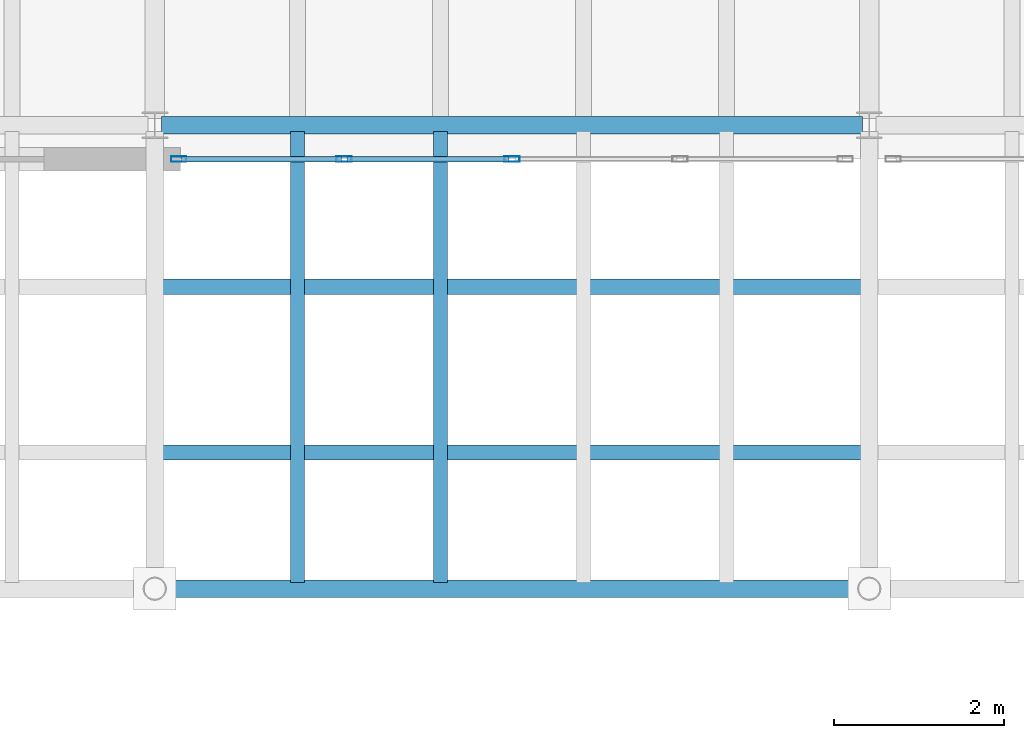
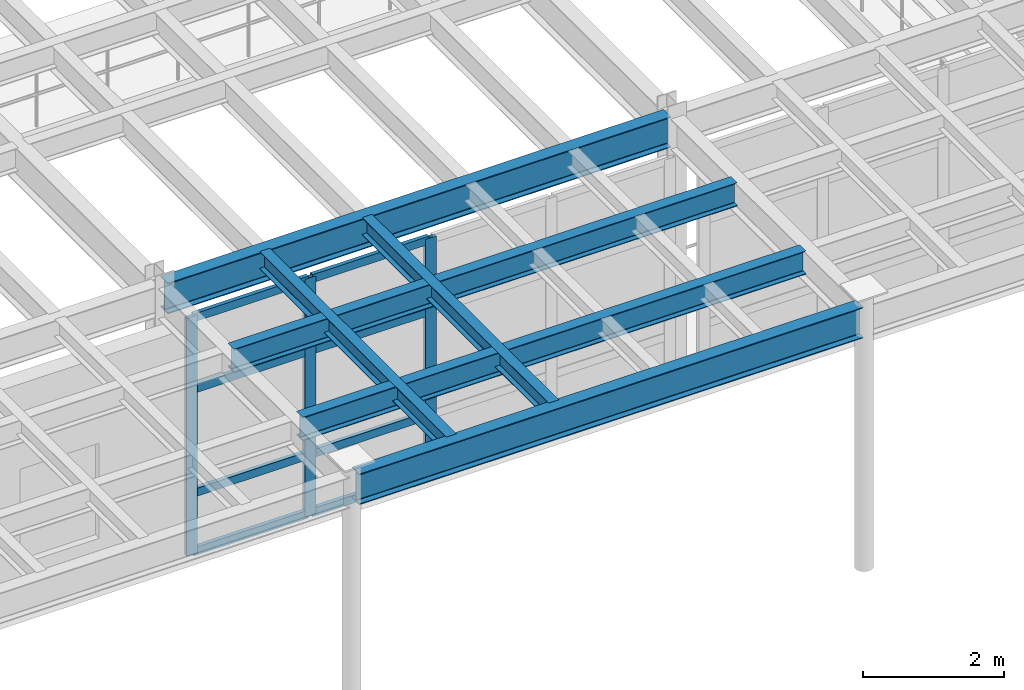
# One storey, part 27 of 105: 11 members, 6 beams, 1 element without a shape of its own.
"""IFC4 building model written with IfcOpenShell, lengths in metres."""

import ifcopenshell
import ifcopenshell.guid

model = None  # the IFC model being written
_history = None  # IfcOwnerHistory: only IFC2X3 demands one
_inside = {}  # id of a spatial element -> (the spatial element, [elements in it])
_under = {}  # id of a project, library or spatial element -> (it, [spatial elements below it])
_declared = {}  # id of a project -> (the project, [libraries it declares])
_typed = {}  # id of a type object -> (the type object, [elements of that type])
_made_of = {}  # id of a material, layer set ... -> (it, [elements and type objects made of it])


def new_model(schema):
    """Start an empty IFC model of exactly this schema.

    Asked for "IFC4X3", IfcOpenShell would pick the latest addendum, in which some entities
    have other attributes; the version numbers below select the first issue.
    IFC2X3 requires an IfcOwnerHistory on every rooted entity: one is made here for all.
    """
    global model, _history
    if schema == "IFC4X3":
        model = ifcopenshell.file(schema_version=(4, 3, 0, 0))
    else:
        model = ifcopenshell.file(schema=schema)
    _inside.clear()
    _under.clear()
    _declared.clear()
    _typed.clear()
    _made_of.clear()
    _history = None
    if model.schema == "IFC2X3":
        org = make("IfcOrganization", Name="unknown")
        user = make(
            "IfcPersonAndOrganization",
            ThePerson=make("IfcPerson", FamilyName="unknown"),
            TheOrganization=org,
        )
        app = make(
            "IfcApplication",
            ApplicationDeveloper=org,
            Version="unknown",
            ApplicationFullName="unknown",
            ApplicationIdentifier="unknown",
        )
        _history = make(
            "IfcOwnerHistory",
            OwningUser=user,
            OwningApplication=app,
            ChangeAction="ADDED",
            CreationDate=0,
        )
    return model


def make(cls, **values):
    """One entity of the class cls with the attributes given. An attribute that is None is left unset."""
    return model.create_entity(
        cls, **{name: value for name, value in values.items() if value is not None}
    )


def rooted(cls, **values):
    """An entity with a GlobalId (a new one), such as an element, a storey or a relation."""
    return make(cls, GlobalId=ifcopenshell.guid.new(), OwnerHistory=_history, **values)


def si_unit(unit_type, name, prefix=None):
    """IfcSIUnit, for example si_unit("LENGTHUNIT", "METRE", prefix="MILLI")."""
    return make("IfcSIUnit", UnitType=unit_type, Prefix=prefix, Name=name)


def assignment(units):
    """IfcUnitAssignment: the units of a project."""
    return None if units is None else make("IfcUnitAssignment", Units=units)


def point(xyz):
    """IfcCartesianPoint."""
    return None if xyz is None else make("IfcCartesianPoint", Coordinates=xyz)


def direction(xyz):
    """IfcDirection."""
    return None if xyz is None else make("IfcDirection", DirectionRatios=xyz)


def frame(location, z_axis=None, x_axis=None):
    """IfcAxis2Placement3D, a coordinate frame: its origin and axes. An axis left out is left unset."""
    return make(
        "IfcAxis2Placement3D",
        Location=point(location),
        Axis=direction(z_axis),
        RefDirection=direction(x_axis),
    )


def frame_2d(location, x_axis=None):
    """IfcAxis2Placement2D, a coordinate frame in the plane: its origin and x axis."""
    return make(
        "IfcAxis2Placement2D", Location=point(location), RefDirection=direction(x_axis)
    )


def origin():
    """The frame at (0, 0, 0) with its axes left unset."""
    return frame((0.0, 0.0, 0.0))


def origin_2d():
    """The frame at (0, 0) in the plane with its x axis left unset."""
    return frame_2d((0.0, 0.0))


def place(relative_to, where):
    """IfcLocalPlacement: puts the frame where relative to a parent placement (None: the world)."""
    return make(
        "IfcLocalPlacement", PlacementRelTo=relative_to, RelativePlacement=where
    )


def context(
    kind, dimensions, precision=None, world=None, true_north=None, identifier=None
):
    """IfcGeometricRepresentationContext, for example the 3D "Model" context."""
    return make(
        "IfcGeometricRepresentationContext",
        ContextIdentifier=identifier,
        ContextType=kind,
        CoordinateSpaceDimension=dimensions,
        Precision=precision,
        WorldCoordinateSystem=world,
        TrueNorth=true_north,
    )


def subcontext(parent, identifier, kind, view, scale=None):
    """IfcGeometricRepresentationSubContext, for example "Body" below "Model"."""
    return make(
        "IfcGeometricRepresentationSubContext",
        ContextIdentifier=identifier,
        ContextType=kind,
        ParentContext=parent,
        TargetScale=scale,
        TargetView=view,
    )


def project(units=None, contexts=None):
    """IfcProject with its units and contexts."""
    return rooted(
        "IfcProject",
        Name="project",
        RepresentationContexts=contexts,
        UnitsInContext=assignment(units),
    )


def spatial(cls, under=None, at=None, **own):
    """A site, building, storey or space (cls), placed at a placement, below another one or the project."""
    s = rooted(cls, ObjectPlacement=at, **own)
    if under is not None:
        _under.setdefault(under.id(), (under, []))[1].append(s)
    return s


def profile(cls, at=None, kind="AREA", **sizes):
    """A parametric profile (cls). Its sizes go by their IFC names, for example OverallWidth=200.0."""
    return make(cls, ProfileType=kind, Position=at, **sizes)


def hollow_rectangle(**sizes):
    """IfcRectangleHollowProfileDef."""
    return profile("IfcRectangleHollowProfileDef", **sizes)


def i_section(**sizes):
    """IfcIShapeProfileDef."""
    return profile("IfcIShapeProfileDef", **sizes)


def extrude(swept, where, along, depth):
    """IfcExtrudedAreaSolid: the profile swept, set in the frame where, extruded along a direction by depth."""
    return make(
        "IfcExtrudedAreaSolid",
        SweptArea=swept,
        Position=where,
        ExtrudedDirection=direction(along),
        Depth=depth,
    )


def shape(context_of_items, identifier, shape_type, items):
    """IfcShapeRepresentation: the items that make up one representation, for example the "Body"."""
    return make(
        "IfcShapeRepresentation",
        ContextOfItems=context_of_items,
        RepresentationIdentifier=identifier,
        RepresentationType=shape_type,
        Items=items,
    )


def material(Name=None, Category=None):
    """IfcMaterial."""
    return make("IfcMaterial", Name=Name, Category=Category)


def layer(
    of_material, thickness, ventilated=None, Name=None, Category=None, Priority=None
):
    """IfcMaterialLayer: one layer of a wall or slab, of a material (None: an air gap)."""
    return make(
        "IfcMaterialLayer",
        Material=of_material,
        LayerThickness=thickness,
        IsVentilated=ventilated,
        Name=Name,
        Category=Category,
        Priority=Priority,
    )


def layer_set(layers, Name=None):
    """IfcMaterialLayerSet."""
    return make("IfcMaterialLayerSet", MaterialLayers=layers, LayerSetName=Name)


def material_profile(
    of_material, cross_section, Name=None, Category=None, Priority=None
):
    """IfcMaterialProfile: a cross section and its material."""
    return make(
        "IfcMaterialProfile",
        Name=Name,
        Material=of_material,
        Profile=cross_section,
        Priority=Priority,
        Category=Category,
    )


def profile_set(profiles, Name=None, composite=None):
    """IfcMaterialProfileSet."""
    return make(
        "IfcMaterialProfileSet",
        Name=Name,
        MaterialProfiles=profiles,
        CompositeProfile=composite,
    )


def made_of(thing, what):
    """Note that an element or type object is made of a material, layer set ...; save() writes the relation."""
    if what is not None:
        _made_of.setdefault(what.id(), (what, []))[1].append(thing)
    return thing


def type_object(cls, material=None, **own):
    """A type object (cls), such as IfcWallType, which elements share."""
    return made_of(rooted(cls, **own), material)


def element(
    cls,
    number,
    at=None,
    inside=None,
    cuts=None,
    type_object=None,
    material=None,
    context=None,
    identifier="Body",
    shape_type=None,
    held_by="IfcProductDefinitionShape",
    body=None,
    shapes=None,
    **own,
):
    """One element of the class cls, such as IfcWall. Its Tag is "e" and its number.

    at: its placement. inside: the storey or other place that contains it. cuts: it is an
    opening in that element (IfcRelVoidsElement). A single representation is given by context,
    identifier, shape_type and body (its items); several are given by shapes. held_by: the class
    of the entity that holds the representations. save() writes the other relations.
    """
    e = rooted(cls, Tag="e%d" % number, ObjectPlacement=at, **own)
    if body is not None:
        shapes = [shape(context, identifier, shape_type, body)]
    if shapes is not None:
        e.Representation = make(held_by, Representations=shapes)
    if inside is not None:
        _inside.setdefault(inside.id(), (inside, []))[1].append(e)
    if cuts is not None:
        rooted(
            "IfcRelVoidsElement", RelatingBuildingElement=cuts, RelatedOpeningElement=e
        )
    if type_object is not None:
        _typed.setdefault(type_object.id(), (type_object, []))[1].append(e)
    return made_of(e, material)


def aggregate(whole, parts):
    """IfcRelAggregates: a whole, such as a stair, and the parts it consists of."""
    return rooted("IfcRelAggregates", RelatingObject=whole, RelatedObjects=parts)


def save(model, path):
    """Write the relations noted so far, then the file.

    IfcRelAggregates (storeys below a building ...), IfcRelContainedInSpatialStructure (elements
    in a storey), IfcRelDefinesByType, IfcRelAssociatesMaterial and IfcRelDeclares: one each for
    every whole, place, type object, material and project.
    """
    for whole, parts in _under.values():
        aggregate(whole, parts)
    for where, things in _inside.values():
        rooted(
            "IfcRelContainedInSpatialStructure",
            RelatedElements=things,
            RelatingStructure=where,
        )
    for kind, things in _typed.values():
        rooted("IfcRelDefinesByType", RelatedObjects=things, RelatingType=kind)
    for what, things in _made_of.values():
        rooted("IfcRelAssociatesMaterial", RelatedObjects=things, RelatingMaterial=what)
    for by, libraries in _declared.values():
        rooted("IfcRelDeclares", RelatingContext=by, RelatedDefinitions=libraries)
    model.write(path)


model = new_model("IFC4")

# Units and contexts
model_context = context("Model", 3, precision=1e-05, world=origin(), true_north=direction((0.0, 1.0)))
body_context = subcontext(model_context, "Body", "Model", "MODEL_VIEW")
ifc_project = project(units=[si_unit("LENGTHUNIT", "METRE"), si_unit("AREAUNIT", "SQUARE_METRE"), si_unit("VOLUMEUNIT", "CUBIC_METRE"), si_unit("PLANEANGLEUNIT", "RADIAN"), si_unit("MASSUNIT", "GRAM", prefix="KILO")], contexts=[model_context])

# Site, building, storey
site_placement = place(None, origin())
site = spatial("IfcSite", under=ifc_project, at=site_placement, CompositionType="ELEMENT")
building_placement = place(site_placement, origin())
building = spatial("IfcBuilding", under=site, at=building_placement, Name="Selat Folded Stagehouse", CompositionType="ELEMENT")
storey_placement = place(building_placement, frame((0.0, 0.0, 10.199951171875)))
storey = spatial("IfcBuildingStorey", under=building, at=storey_placement, Name="L02", CompositionType="ELEMENT", Elevation=10.199951171875)

# Beams
ifc_material_1 = material(Name="Steel S355", Category="steel")
ifc_material_profile_1 = material_profile(ifc_material_1, i_section(OverallWidth=0.209228515625, OverallDepth=0.533203125, WebThickness=0.010009765625, FlangeThickness=0.015625, FilletRadius=0.0126953125, at=origin_2d()), Name="UKB 533x210x92")
ifc_profile_set_1 = profile_set([ifc_material_profile_1], Name="Steel S355")
beam_type_1 = type_object("IfcBeamType", Name="BM-GIRD-533x210x92", PredefinedType="BEAM", material=ifc_profile_set_1)
beam_1_placement = place(storey_placement, frame((58.8681640625, 0.35009765625, 4.308349609375), z_axis=(1.0, 0.0, 0.0), x_axis=(0.0, 1.0, 0.0)))
element("IfcBeam", 1, at=beam_1_placement, inside=storey, type_object=beam_type_1, Name="L02 primary x-girder 0984", PredefinedType="BEAM", context=body_context, shape_type="SweptSolid", body=[
    extrude(i_section(OverallWidth=0.209228515625, OverallDepth=0.533203125, WebThickness=0.010009765625, FlangeThickness=0.015625, FilletRadius=0.0126953125, at=origin_2d()), origin(), (0.0, 0.0, 1.0), 8.263427734375),
])
beam_2_placement = place(storey_placement, frame((58.876953125, 5.800048828125, 4.308349609375), z_axis=(1.0, 0.0, 0.0), x_axis=(0.0, 1.0, 0.0)))
element("IfcBeam", 2, at=beam_2_placement, inside=storey, type_object=beam_type_1, Name="L02 primary x-girder 0992", PredefinedType="BEAM", context=body_context, shape_type="SweptSolid", body=[
    extrude(i_section(OverallWidth=0.209228515625, OverallDepth=0.533203125, WebThickness=0.010009765625, FlangeThickness=0.015625, FilletRadius=0.0126953125, at=origin_2d()), origin(), (0.0, 0.0, 1.0), 8.24609375),
])

# Curtain wall, members
ifc_material_2 = material(Name="Aluminium 6063-T6", Category="aluminium")
ifc_layer = layer(ifc_material_2, 0.2099609375)
ifc_layer_set = layer_set([ifc_layer], Name="Aluminium 6063-T6")
curtain_wall_type = type_object("IfcCurtainWallType", Name="CW-FYR-SOUTH", PredefinedType="NOTDEFINED", material=ifc_layer_set)
curtain_wall_placement = place(storey_placement, origin())
curtain_wall = element("IfcCurtainWall", 3, at=curtain_wall_placement, inside=storey, type_object=curtain_wall_type, Name="L02 curtain wall CW-FYR-L02-02", PredefinedType="NOTDEFINED")
ifc_material_profile_2 = material_profile(ifc_material_2, hollow_rectangle(XDim=0.06494140625, YDim=0.179931640625, WallThickness=0.00390625, at=origin_2d()), Name="ALU 180x65x4.0")
ifc_profile_set_2 = profile_set([ifc_material_profile_2], Name="Aluminium 6063-T6")
member_type_1 = type_object("IfcMemberType", Name="CWM-MUL-180x65", PredefinedType="MULLION", material=ifc_profile_set_2)
member_1_placement = place(storey_placement, frame((63.0, 5.39990234375, 0.0), z_axis=(0.0, 0.0, 1.0), x_axis=(0.0, -1.0, 0.0)))
member_1 = element("IfcMember", 4, at=member_1_placement, type_object=member_type_1, Name="CW-04 mullion 3", PredefinedType="MULLION", context=body_context, shape_type="SweptSolid", body=[
    extrude(hollow_rectangle(XDim=0.06494140625, YDim=0.179931640625, WallThickness=0.00390625, at=origin_2d()), origin(), (0.0, 0.0, 1.0), 4.1201171875),
])
member_2_placement = place(storey_placement, frame((61.02490234375, 5.39990234375, 0.0), z_axis=(0.0, 0.0, 1.0), x_axis=(0.0, -1.0, 0.0)))
member_2 = element("IfcMember", 5, at=member_2_placement, type_object=member_type_1, Name="CW-04 mullion 4", PredefinedType="MULLION", context=body_context, shape_type="SweptSolid", body=[
    extrude(hollow_rectangle(XDim=0.06494140625, YDim=0.179931640625, WallThickness=0.00390625, at=origin_2d()), origin(), (0.0, 0.0, 1.0), 4.1201171875),
])
member_3_placement = place(storey_placement, frame((59.08251953125, 5.39990234375, 0.0), z_axis=(0.0, 0.0, 1.0), x_axis=(0.0, -1.0, 0.0)))
member_3 = element("IfcMember", 6, at=member_3_placement, type_object=member_type_1, Name="CW-04 mullion 5", PredefinedType="MULLION", context=body_context, shape_type="SweptSolid", body=[
    extrude(hollow_rectangle(XDim=0.06494140625, YDim=0.179931640625, WallThickness=0.00390625, at=origin_2d()), origin(), (0.0, 0.0, 1.0), 4.1201171875),
])
ifc_material_profile_3 = material_profile(ifc_material_2, hollow_rectangle(XDim=0.06494140625, YDim=0.139892578125, WallThickness=0.00390625, at=origin_2d()), Name="ALU 140x65x4.0")
ifc_profile_set_3 = profile_set([ifc_material_profile_3], Name="Aluminium 6063-T6")
member_type_2 = type_object("IfcMemberType", Name="CWM-TRN-140x65", PredefinedType="USERDEFINED", material=ifc_profile_set_3)
member_4_placement = place(storey_placement, frame((62.967529296875, 5.39990234375, 0.032470703125), z_axis=(-1.0, 0.0, 0.0), x_axis=(0.0, -1.0, 0.0)))
member_4 = element("IfcMember", 7, at=member_4_placement, type_object=member_type_2, Name="CW-04 transom 3.1", ObjectType="TRANSOM", PredefinedType="USERDEFINED", context=body_context, shape_type="SweptSolid", body=[
    extrude(hollow_rectangle(XDim=0.06494140625, YDim=0.139892578125, WallThickness=0.00390625, at=origin_2d()), origin(), (0.0, 0.0, 1.0), 1.909912109375),
])
member_5_placement = place(storey_placement, frame((62.967529296875, 5.39990234375, 1.050048828125), z_axis=(-1.0, 0.0, 0.0), x_axis=(0.0, -1.0, 0.0)))
member_5 = element("IfcMember", 8, at=member_5_placement, type_object=member_type_2, Name="CW-04 transom 3.2", ObjectType="TRANSOM", PredefinedType="USERDEFINED", context=body_context, shape_type="SweptSolid", body=[
    extrude(hollow_rectangle(XDim=0.06494140625, YDim=0.139892578125, WallThickness=0.00390625, at=origin_2d()), origin(), (0.0, 0.0, 1.0), 1.909912109375),
])
member_6_placement = place(storey_placement, frame((62.967529296875, 5.39990234375, 2.85009765625), z_axis=(-1.0, 0.0, 0.0), x_axis=(0.0, -1.0, 0.0)))
member_6 = element("IfcMember", 9, at=member_6_placement, type_object=member_type_2, Name="CW-04 transom 3.3", ObjectType="TRANSOM", PredefinedType="USERDEFINED", context=body_context, shape_type="SweptSolid", body=[
    extrude(hollow_rectangle(XDim=0.06494140625, YDim=0.139892578125, WallThickness=0.00390625, at=origin_2d()), origin(), (0.0, 0.0, 1.0), 1.909912109375),
])
member_7_placement = place(storey_placement, frame((62.967529296875, 5.39990234375, 4.087646484375), z_axis=(-1.0, 0.0, 0.0), x_axis=(0.0, -1.0, 0.0)))
member_7 = element("IfcMember", 10, at=member_7_placement, type_object=member_type_2, Name="CW-04 transom 3.4", ObjectType="TRANSOM", PredefinedType="USERDEFINED", context=body_context, shape_type="SweptSolid", body=[
    extrude(hollow_rectangle(XDim=0.06494140625, YDim=0.139892578125, WallThickness=0.00390625, at=origin_2d()), origin(), (0.0, 0.0, 1.0), 1.909912109375),
])
member_8_placement = place(storey_placement, frame((60.992431640625, 5.39990234375, 0.032470703125), z_axis=(-1.0, 0.0, 0.0), x_axis=(0.0, -1.0, 0.0)))
member_8 = element("IfcMember", 11, at=member_8_placement, type_object=member_type_2, Name="CW-04 transom 4.1", ObjectType="TRANSOM", PredefinedType="USERDEFINED", context=body_context, shape_type="SweptSolid", body=[
    extrude(hollow_rectangle(XDim=0.06494140625, YDim=0.139892578125, WallThickness=0.00390625, at=origin_2d()), origin(), (0.0, 0.0, 1.0), 1.87744140625),
])
member_9_placement = place(storey_placement, frame((60.992431640625, 5.39990234375, 1.050048828125), z_axis=(-1.0, 0.0, 0.0), x_axis=(0.0, -1.0, 0.0)))
member_9 = element("IfcMember", 12, at=member_9_placement, type_object=member_type_2, Name="CW-04 transom 4.2", ObjectType="TRANSOM", PredefinedType="USERDEFINED", context=body_context, shape_type="SweptSolid", body=[
    extrude(hollow_rectangle(XDim=0.06494140625, YDim=0.139892578125, WallThickness=0.00390625, at=origin_2d()), origin(), (0.0, 0.0, 1.0), 1.87744140625),
])
member_10_placement = place(storey_placement, frame((60.992431640625, 5.39990234375, 2.85009765625), z_axis=(-1.0, 0.0, 0.0), x_axis=(0.0, -1.0, 0.0)))
member_10 = element("IfcMember", 13, at=member_10_placement, type_object=member_type_2, Name="CW-04 transom 4.3", ObjectType="TRANSOM", PredefinedType="USERDEFINED", context=body_context, shape_type="SweptSolid", body=[
    extrude(hollow_rectangle(XDim=0.06494140625, YDim=0.139892578125, WallThickness=0.00390625, at=origin_2d()), origin(), (0.0, 0.0, 1.0), 1.87744140625),
])
member_11_placement = place(storey_placement, frame((60.992431640625, 5.39990234375, 4.087646484375), z_axis=(-1.0, 0.0, 0.0), x_axis=(0.0, -1.0, 0.0)))
member_11 = element("IfcMember", 14, at=member_11_placement, type_object=member_type_2, Name="CW-04 transom 4.4", ObjectType="TRANSOM", PredefinedType="USERDEFINED", context=body_context, shape_type="SweptSolid", body=[
    extrude(hollow_rectangle(XDim=0.06494140625, YDim=0.139892578125, WallThickness=0.00390625, at=origin_2d()), origin(), (0.0, 0.0, 1.0), 1.87744140625),
])
aggregate(curtain_wall, [member_1, member_2, member_3, member_4, member_5, member_6, member_7, member_8, member_9, member_10, member_11])

# Beams
ifc_material_profile_4 = material_profile(ifc_material_1, i_section(OverallWidth=0.1650390625, OverallDepth=0.303466796875, WebThickness=0.006103515625, FlangeThickness=0.01025390625, FilletRadius=0.0087890625, at=origin_2d()), Name="UKB 305x165x40")
ifc_profile_set_4 = profile_set([ifc_material_profile_4], Name="Steel S355")
beam_type_2 = type_object("IfcBeamType", Name="JST-305x165x40", PredefinedType="JOIST", material=ifc_profile_set_4)
for number, where, z_axis, x_axis, name in (
    (15, (60.47998046875, 0.42333984375, 4.42333984375), (0.0, 1.0, 0.0), (-1.0, 0.0, 0.0), "L02 secondary floor joist 1132"),
    (16, (62.159912109375, 0.42333984375, 4.42333984375), (0.0, 1.0, 0.0), (-1.0, 0.0, 0.0), "L02 secondary floor joist 1135"),
):
    element("IfcBeam", number, at=place(storey_placement, frame(where, z_axis=z_axis, x_axis=x_axis)), inside=storey, type_object=beam_type_2, Name=name, PredefinedType="JOIST", context=body_context, shape_type="SweptSolid", body=[
        extrude(i_section(OverallWidth=0.1650390625, OverallDepth=0.303466796875, WebThickness=0.006103515625, FlangeThickness=0.01025390625, FilletRadius=0.0087890625, at=origin_2d()), origin(), (0.0, 0.0, 1.0), 5.303466796875),
    ])
ifc_material_profile_5 = material_profile(ifc_material_1, i_section(OverallWidth=0.177978515625, OverallDepth=0.406494140625, WebThickness=0.0078125, FlangeThickness=0.0126953125, FilletRadius=0.01025390625, at=origin_2d()), Name="UKB 406x178x60")
ifc_profile_set_5 = profile_set([ifc_material_profile_5], Name="Steel S355")
beam_type_3 = type_object("IfcBeamType", Name="JST-406x178x60", PredefinedType="JOIST", material=ifc_profile_set_5)
for number, where, z_axis, x_axis, name in (
    (17, (58.873779296875, 1.949951171875, 4.371826171875), (1.0, 0.0, 0.0), (0.0, 1.0, 0.0), "L02 secondary x-joist 1201"),
    (18, (58.873779296875, 3.89990234375, 4.371826171875), (1.0, 0.0, 0.0), (0.0, 1.0, 0.0), "L02 secondary x-joist 1210"),
):
    element("IfcBeam", number, at=place(storey_placement, frame(where, z_axis=z_axis, x_axis=x_axis)), inside=storey, type_object=beam_type_3, Name=name, PredefinedType="JOIST", context=body_context, shape_type="SweptSolid", body=[
        extrude(i_section(OverallWidth=0.177978515625, OverallDepth=0.406494140625, WebThickness=0.0078125, FlangeThickness=0.0126953125, FilletRadius=0.01025390625, at=origin_2d()), origin(), (0.0, 0.0, 1.0), 8.25244140625),
    ])

save(model, "model.ifc")
